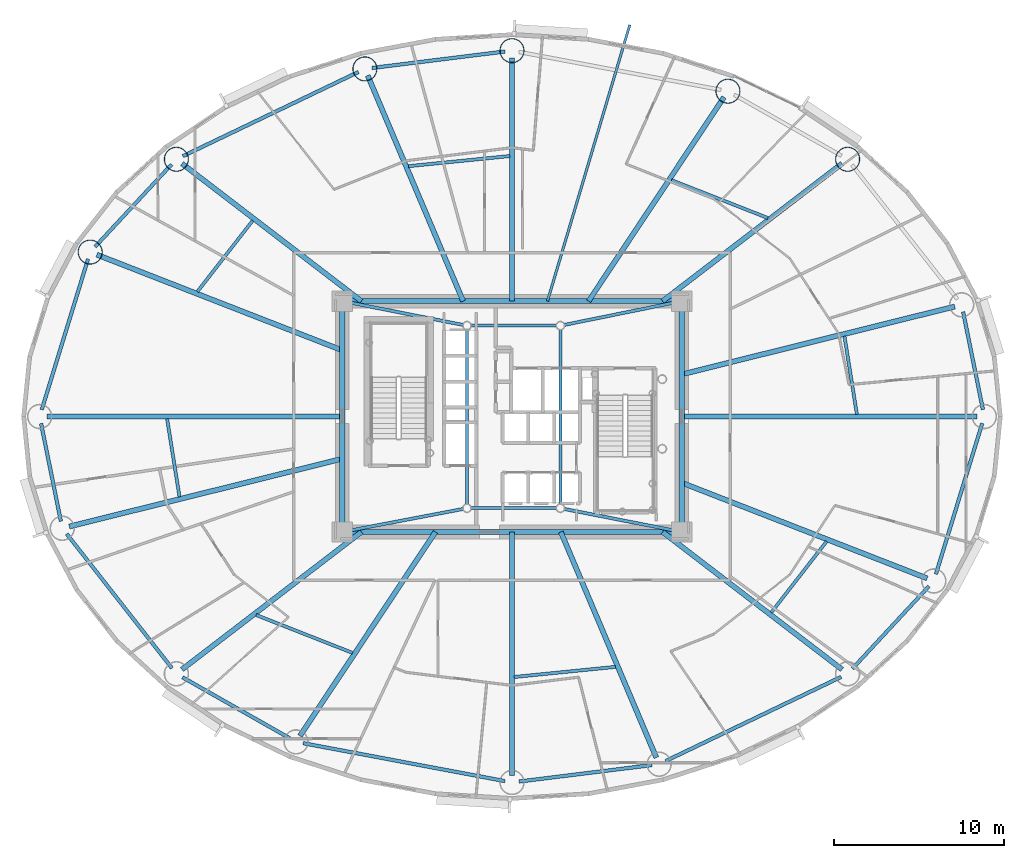
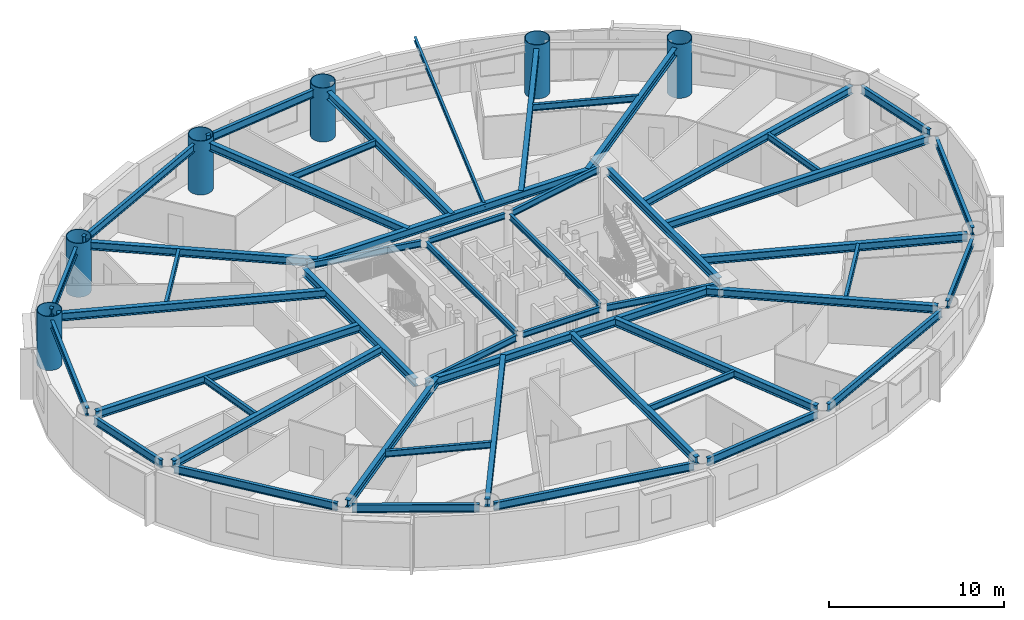
# One storey, part 3 of 16: 50 beams, 6 columns.
"""IFC4 building model written with IfcOpenShell, lengths in metres."""

from ifc_helpers import new_model, si_unit, direction, frame, origin, origin_2d, place, context, subcontext, project, spatial, hollow_circle, i_section, extrude, material, material_profile, profile_set, type_object, element, save


model = new_model("IFC4")

# Units and contexts
model_context = context("Model", 3, precision=1e-05, world=origin(), true_north=direction((0.0, 1.0)))
body_context = subcontext(model_context, "Body", "Model", "MODEL_VIEW")
ifc_project = project(units=[si_unit("LENGTHUNIT", "METRE"), si_unit("AREAUNIT", "SQUARE_METRE"), si_unit("VOLUMEUNIT", "CUBIC_METRE"), si_unit("PLANEANGLEUNIT", "RADIAN"), si_unit("MASSUNIT", "GRAM", prefix="KILO")], contexts=[model_context])

# Site, building, storey
site_placement = place(None, origin())
site = spatial("IfcSite", under=ifc_project, at=site_placement, CompositionType="ELEMENT")
building_placement = place(site_placement, origin())
building = spatial("IfcBuilding", under=site, at=building_placement, Name="Linh Dai School and Residence Tower", CompositionType="ELEMENT")
storey_placement = place(building_placement, frame((0.0, 0.0, 138.449951171875)))
storey = spatial("IfcBuildingStorey", under=building, at=storey_placement, Name="L33", CompositionType="ELEMENT", Elevation=138.449951171875)

# Columns
ifc_material = material(Name="Structural Steel S355JR", Category="steel")
ifc_material_profile_1 = material_profile(ifc_material, hollow_circle(Radius=0.72509765625, WallThickness=0.0419921875, at=origin_2d()), Name="CHS 1450x42")
ifc_profile_set_1 = profile_set([ifc_material_profile_1], Name="Structural Steel S355JR")
column_type = type_object("IfcColumnType", Name="COL-MC3", PredefinedType="COLUMN", material=ifc_profile_set_1)
for number, where, z_axis, x_axis, name in (
    (1, (55.772705078125, 42.155517578125, 0.0), (0.0, 0.0, 1.0), (1.0, 0.0, 0.0), "L33 Perimeter CFT Mega-Column MC03"),
    (2, (48.721923828125, 46.1650390625, 0.0), (0.0, 0.0, 1.0), (1.0, 0.0, 0.0), "L33 Perimeter CFT Mega-Column MC04"),
    (3, (36.0, 48.554931640625, 0.0), (0.0, 0.0, 1.0), (1.0, 0.0, 0.0), "L33 Perimeter CFT Mega-Column MC05"),
    (4, (27.33447265625, 47.480712890625, 0.0), (0.0, 0.0, 1.0), (1.0, 0.0, 0.0), "L33 Perimeter CFT Mega-Column MC06"),
    (5, (16.227294921875, 42.155517578125, 0.0), (0.0, 0.0, 1.0), (1.0, 0.0, 0.0), "L33 Perimeter CFT Mega-Column MC07"),
    (6, (11.15087890625, 36.6875, 0.0), (0.0, 0.0, 1.0), (1.0, 0.0, 0.0), "L33 Perimeter CFT Mega-Column MC08"),
):
    element("IfcColumn", number, at=place(storey_placement, frame(where, z_axis=z_axis, x_axis=x_axis)), inside=storey, type_object=column_type, Name=name, PredefinedType="COLUMN", context=body_context, shape_type="SweptSolid", body=[
        extrude(hollow_circle(Radius=0.72509765625, WallThickness=0.0419921875, at=origin_2d()), origin(), (0.0, 0.0, 1.0), 3.75),
    ])

# Beams
ifc_material_profile_2 = material_profile(ifc_material, i_section(OverallWidth=0.14990234375, OverallDepth=0.300048828125, WebThickness=0.007080078125, FlangeThickness=0.0107421875, at=origin_2d()), Name="IPE 300")
ifc_profile_set_2 = profile_set([ifc_material_profile_2], Name="Structural Steel S355JR")
beam_type_1 = type_object("IfcBeamType", Name="BM-BALC-CANT", PredefinedType="BEAM", material=ifc_profile_set_2)
beam_1_placement = place(storey_placement, frame((38.08935546875, 33.800048828125, 3.35009765625), z_axis=(0.285602713269, 0.958348104904, 0.0), x_axis=(-0.958348104904, 0.285602713269, 0.0)))
element("IfcBeam", 7, at=beam_1_placement, inside=storey, type_object=beam_type_1, Name="L34 Balcony Continuous Cantilever Beam 09", PredefinedType="BEAM", context=body_context, shape_type="SweptSolid", body=[
    extrude(i_section(OverallWidth=0.14990234375, OverallDepth=0.300048828125, WebThickness=0.007080078125, FlangeThickness=0.0107421875, at=origin_2d()), origin(), (0.0, 0.0, 1.0), 16.984619140625),
])
ifc_material_profile_3 = material_profile(ifc_material, i_section(OverallWidth=0.2099609375, OverallDepth=0.550048828125, WebThickness=0.010986328125, FlangeThickness=0.01708984375, FilletRadius=0.02392578125, at=origin_2d()), Name="IPE 550")
ifc_profile_set_3 = profile_set([ifc_material_profile_3], Name="Structural Steel S355JR")
beam_type_2 = type_object("IfcBeamType", Name="BM-RB55", PredefinedType="BEAM", material=ifc_profile_set_3)
beam_2_placement = place(storey_placement, frame((63.74169921875, 27.41162109375, 3.22509765625), z_axis=(-0.198441254313, 0.980112783605, 0.0), x_axis=(-0.980112783605, -0.198441254313, 0.0)))
element("IfcBeam", 8, at=beam_2_placement, inside=storey, type_object=beam_type_2, Name="L33 Perimeter Elliptical Ring Beam 01", PredefinedType="BEAM", context=body_context, shape_type="SweptSolid", body=[
    extrude(i_section(OverallWidth=0.2099609375, OverallDepth=0.550048828125, WebThickness=0.010986328125, FlangeThickness=0.01708984375, FilletRadius=0.02392578125, at=origin_2d()), origin(), (0.0, 0.0, 1.0), 5.874755859375),
])
beam_3_placement = place(storey_placement, frame((35.583251953125, 48.50341796875, 3.22509765625), z_axis=(-0.992399234854, -0.123059979933, 0.0), x_axis=(0.123059979933, -0.992399234854, 0.0)))
element("IfcBeam", 9, at=beam_3_placement, inside=storey, type_object=beam_type_2, Name="L33 Perimeter Elliptical Ring Beam 05", PredefinedType="BEAM", context=body_context, shape_type="SweptSolid", body=[
    extrude(i_section(OverallWidth=0.2099609375, OverallDepth=0.550048828125, WebThickness=0.010986328125, FlangeThickness=0.01708984375, FilletRadius=0.02392578125, at=origin_2d()), origin(), (0.0, 0.0, 1.0), 7.89208984375),
])
beam_4_placement = place(storey_placement, frame((26.955810546875, 47.299072265625, 3.22509765625), z_axis=(-0.901715153312, -0.432330640005, 0.0), x_axis=(0.432330640005, -0.901715153312, 0.0)))
element("IfcBeam", 10, at=beam_4_placement, inside=storey, type_object=beam_type_2, Name="L33 Perimeter Elliptical Ring Beam 06", PredefinedType="BEAM", context=body_context, shape_type="SweptSolid", body=[
    extrude(i_section(OverallWidth=0.2099609375, OverallDepth=0.550048828125, WebThickness=0.010986328125, FlangeThickness=0.01708984375, FilletRadius=0.02392578125, at=origin_2d()), origin(), (0.0, 0.0, 1.0), 11.477783203125),
])
beam_5_placement = place(storey_placement, frame((15.941650390625, 41.84765625, 3.22509765625), z_axis=(-0.680384623752, -0.732855213369, 0.0), x_axis=(0.732855213369, -0.680384623752, 0.0)))
element("IfcBeam", 11, at=beam_5_placement, inside=storey, type_object=beam_type_2, Name="L33 Perimeter Elliptical Ring Beam 07", PredefinedType="BEAM", context=body_context, shape_type="SweptSolid", body=[
    extrude(i_section(OverallWidth=0.2099609375, OverallDepth=0.550048828125, WebThickness=0.010986328125, FlangeThickness=0.01708984375, FilletRadius=0.02392578125, at=origin_2d()), origin(), (0.0, 0.0, 1.0), 6.62109375),
])
beam_6_placement = place(storey_placement, frame((11.027587890625, 36.2861328125, 3.22509765625), z_axis=(-0.29364097848, -0.95591577859, 0.0), x_axis=(0.95591577859, -0.29364097848, 0.0)))
element("IfcBeam", 12, at=beam_6_placement, inside=storey, type_object=beam_type_2, Name="L33 Perimeter Elliptical Ring Beam 08", PredefinedType="BEAM", context=body_context, shape_type="SweptSolid", body=[
    extrude(i_section(OverallWidth=0.2099609375, OverallDepth=0.550048828125, WebThickness=0.010986328125, FlangeThickness=0.01708984375, FilletRadius=0.02392578125, at=origin_2d()), origin(), (0.0, 0.0, 1.0), 9.29443359375),
])
beam_7_placement = place(storey_placement, frame((8.25830078125, 26.58837890625, 3.22509765625), z_axis=(0.198441254313, -0.980112783605, 0.0), x_axis=(0.980112783605, 0.198441254313, 0.0)))
element("IfcBeam", 13, at=beam_7_placement, inside=storey, type_object=beam_type_2, Name="L33 Perimeter Elliptical Ring Beam 09", PredefinedType="BEAM", context=body_context, shape_type="SweptSolid", body=[
    extrude(i_section(OverallWidth=0.2099609375, OverallDepth=0.550048828125, WebThickness=0.010986328125, FlangeThickness=0.01708984375, FilletRadius=0.02392578125, at=origin_2d()), origin(), (0.0, 0.0, 1.0), 5.874755859375),
])
beam_8_placement = place(storey_placement, frame((9.766357421875, 20.08837890625, 3.22509765625), z_axis=(0.616854830973, -0.787076945098, 0.0), x_axis=(0.787076945098, 0.616854830973, 0.0)))
element("IfcBeam", 14, at=beam_8_placement, inside=storey, type_object=beam_type_2, Name="L33 Perimeter Elliptical Ring Beam 10", PredefinedType="BEAM", context=body_context, shape_type="SweptSolid", body=[
    extrude(i_section(OverallWidth=0.2099609375, OverallDepth=0.550048828125, WebThickness=0.010986328125, FlangeThickness=0.01708984375, FilletRadius=0.02392578125, at=origin_2d()), origin(), (0.0, 0.0, 1.0), 10.053955078125),
])
beam_9_placement = place(storey_placement, frame((16.592529296875, 11.636962890625, 3.22509765625), z_axis=(0.86927031475, -0.494337050902, 0.0), x_axis=(0.494337050902, 0.86927031475, 0.0)))
element("IfcBeam", 15, at=beam_9_placement, inside=storey, type_object=beam_type_2, Name="L33 Perimeter Elliptical Ring Beam 11", PredefinedType="BEAM", context=body_context, shape_type="SweptSolid", body=[
    extrude(i_section(OverallWidth=0.2099609375, OverallDepth=0.550048828125, WebThickness=0.010986328125, FlangeThickness=0.01708984375, FilletRadius=0.02392578125, at=origin_2d()), origin(), (0.0, 0.0, 1.0), 7.270751953125),
])
beam_10_placement = place(storey_placement, frame((23.69091796875, 7.75732421875, 3.22509765625), z_axis=(0.982807507457, -0.184633158685, 0.0), x_axis=(0.184633158685, 0.982807507457, 0.0)))
element("IfcBeam", 16, at=beam_10_placement, inside=storey, type_object=beam_type_2, Name="L33 Perimeter Elliptical Ring Beam 12", PredefinedType="BEAM", context=body_context, shape_type="SweptSolid", body=[
    extrude(i_section(OverallWidth=0.2099609375, OverallDepth=0.550048828125, WebThickness=0.010986328125, FlangeThickness=0.01708984375, FilletRadius=0.02392578125, at=origin_2d()), origin(), (0.0, 0.0, 1.0), 12.104248046875),
])
beam_11_placement = place(storey_placement, frame((36.416748046875, 5.49658203125, 3.22509765625), z_axis=(0.992399234854, 0.123059979933, 0.0), x_axis=(-0.123059979933, 0.992399234854, 0.0)))
element("IfcBeam", 17, at=beam_11_placement, inside=storey, type_object=beam_type_2, Name="L33 Perimeter Elliptical Ring Beam 13", PredefinedType="BEAM", context=body_context, shape_type="SweptSolid", body=[
    extrude(i_section(OverallWidth=0.2099609375, OverallDepth=0.550048828125, WebThickness=0.010986328125, FlangeThickness=0.01708984375, FilletRadius=0.02392578125, at=origin_2d()), origin(), (0.0, 0.0, 1.0), 7.89208984375),
])
beam_12_placement = place(storey_placement, frame((45.044189453125, 6.700927734375, 3.22509765625), z_axis=(0.901715153312, 0.432330640005, 0.0), x_axis=(-0.432330640005, 0.901715153312, 0.0)))
element("IfcBeam", 18, at=beam_12_placement, inside=storey, type_object=beam_type_2, Name="L33 Perimeter Elliptical Ring Beam 14", PredefinedType="BEAM", context=body_context, shape_type="SweptSolid", body=[
    extrude(i_section(OverallWidth=0.2099609375, OverallDepth=0.550048828125, WebThickness=0.010986328125, FlangeThickness=0.01708984375, FilletRadius=0.02392578125, at=origin_2d()), origin(), (0.0, 0.0, 1.0), 11.477783203125),
])
beam_13_placement = place(storey_placement, frame((56.058349609375, 12.15234375, 3.22509765625), z_axis=(0.680384623752, 0.732855213369, 0.0), x_axis=(-0.732855213369, 0.680384623752, 0.0)))
element("IfcBeam", 19, at=beam_13_placement, inside=storey, type_object=beam_type_2, Name="L33 Perimeter Elliptical Ring Beam 15", PredefinedType="BEAM", context=body_context, shape_type="SweptSolid", body=[
    extrude(i_section(OverallWidth=0.2099609375, OverallDepth=0.550048828125, WebThickness=0.010986328125, FlangeThickness=0.01708984375, FilletRadius=0.02392578125, at=origin_2d()), origin(), (0.0, 0.0, 1.0), 6.62109375),
])
beam_14_placement = place(storey_placement, frame((60.972412109375, 17.7138671875, 3.22509765625), z_axis=(0.29364097848, 0.95591577859, 0.0), x_axis=(-0.95591577859, 0.29364097848, 0.0)))
element("IfcBeam", 20, at=beam_14_placement, inside=storey, type_object=beam_type_2, Name="L33 Perimeter Elliptical Ring Beam 16", PredefinedType="BEAM", context=body_context, shape_type="SweptSolid", body=[
    extrude(i_section(OverallWidth=0.2099609375, OverallDepth=0.550048828125, WebThickness=0.010986328125, FlangeThickness=0.01708984375, FilletRadius=0.02392578125, at=origin_2d()), origin(), (0.0, 0.0, 1.0), 9.29443359375),
])
ifc_material_profile_4 = material_profile(ifc_material, i_section(OverallWidth=0.300048828125, OverallDepth=0.550048828125, WebThickness=0.014892578125, FlangeThickness=0.029052734375, FilletRadius=0.027099609375, at=origin_2d()), Name="HEB 550")
ifc_profile_set_4 = profile_set([ifc_material_profile_4], Name="Structural Steel S355JR")
beam_type_3 = type_object("IfcBeamType", Name="BM-RG55", PredefinedType="BEAM", material=ifc_profile_set_4)
beam_15_placement = place(storey_placement, frame((26.419921875, 20.199951171875, 3.22509765625), z_axis=(1.0, 0.0, 0.0), x_axis=(0.0, 1.0, 0.0)))
element("IfcBeam", 21, at=beam_15_placement, inside=storey, type_object=beam_type_3, Name="L33 Core Perimeter Coupling Girder 1", PredefinedType="BEAM", context=body_context, shape_type="SweptSolid", body=[
    extrude(i_section(OverallWidth=0.300048828125, OverallDepth=0.550048828125, WebThickness=0.014892578125, FlangeThickness=0.029052734375, FilletRadius=0.027099609375, at=origin_2d()), origin(), (0.0, 0.0, 1.0), 19.16015625),
])
beam_16_placement = place(storey_placement, frame((46.0, 20.6201171875, 3.22509765625), z_axis=(0.0, 1.0, 0.0), x_axis=(-1.0, 0.0, 0.0)))
element("IfcBeam", 22, at=beam_16_placement, inside=storey, type_object=beam_type_3, Name="L33 Core Perimeter Coupling Girder 2", PredefinedType="BEAM", context=body_context, shape_type="SweptSolid", body=[
    extrude(i_section(OverallWidth=0.300048828125, OverallDepth=0.550048828125, WebThickness=0.014892578125, FlangeThickness=0.029052734375, FilletRadius=0.027099609375, at=origin_2d()), origin(), (0.0, 0.0, 1.0), 12.759765625),
])
beam_17_placement = place(storey_placement, frame((45.580078125, 33.800048828125, 3.22509765625), z_axis=(-1.0, 0.0, 0.0), x_axis=(0.0, -1.0, 0.0)))
element("IfcBeam", 23, at=beam_17_placement, inside=storey, type_object=beam_type_3, Name="L33 Core Perimeter Coupling Girder 3", PredefinedType="BEAM", context=body_context, shape_type="SweptSolid", body=[
    extrude(i_section(OverallWidth=0.300048828125, OverallDepth=0.550048828125, WebThickness=0.014892578125, FlangeThickness=0.029052734375, FilletRadius=0.027099609375, at=origin_2d()), origin(), (0.0, 0.0, 1.0), 19.16015625),
])
beam_18_placement = place(storey_placement, frame((26.0, 33.3798828125, 3.22509765625), z_axis=(0.0, -1.0, 0.0), x_axis=(1.0, 0.0, 0.0)))
element("IfcBeam", 24, at=beam_18_placement, inside=storey, type_object=beam_type_3, Name="L33 Core Perimeter Coupling Girder 4", PredefinedType="BEAM", context=body_context, shape_type="SweptSolid", body=[
    extrude(i_section(OverallWidth=0.300048828125, OverallDepth=0.550048828125, WebThickness=0.014892578125, FlangeThickness=0.029052734375, FilletRadius=0.027099609375, at=origin_2d()), origin(), (0.0, 0.0, 1.0), 12.759765625),
])
beam_19_placement = place(storey_placement, frame((46.0, 27.0, 3.22509765625), z_axis=(1.0, 0.0, 0.0), x_axis=(0.0, 1.0, 0.0)))
element("IfcBeam", 25, at=beam_19_placement, inside=storey, type_object=beam_type_3, Name="L33 Primary Radial Floor Girder 01", PredefinedType="BEAM", context=body_context, shape_type="SweptSolid", body=[
    extrude(i_section(OverallWidth=0.300048828125, OverallDepth=0.550048828125, WebThickness=0.014892578125, FlangeThickness=0.029052734375, FilletRadius=0.027099609375, at=origin_2d()), origin(), (0.0, 0.0, 1.0), 17.405029296875),
])
beam_20_placement = place(storey_placement, frame((46.0, 29.484130859375, 3.22509765625), z_axis=(0.970505338376, 0.241079630379, 0.0), x_axis=(-0.241079630379, 0.970505338376, 0.0)))
element("IfcBeam", 26, at=beam_20_placement, inside=storey, type_object=beam_type_3, Name="L33 Primary Radial Floor Girder 02", PredefinedType="BEAM", context=body_context, shape_type="SweptSolid", body=[
    extrude(i_section(OverallWidth=0.300048828125, OverallDepth=0.550048828125, WebThickness=0.014892578125, FlangeThickness=0.029052734375, FilletRadius=0.027099609375, at=origin_2d()), origin(), (0.0, 0.0, 1.0), 16.57373046875),
])
beam_21_placement = place(storey_placement, frame((44.87158203125, 33.800048828125, 3.22509765625), z_axis=(0.793678660795, 0.608337228352, 0.0), x_axis=(-0.608337228352, 0.793678660795, 0.0)))
element("IfcBeam", 27, at=beam_21_placement, inside=storey, type_object=beam_type_3, Name="L33 Primary Radial Floor Girder 03", PredefinedType="BEAM", context=body_context, shape_type="SweptSolid", body=[
    extrude(i_section(OverallWidth=0.300048828125, OverallDepth=0.550048828125, WebThickness=0.014892578125, FlangeThickness=0.029052734375, FilletRadius=0.027099609375, at=origin_2d()), origin(), (0.0, 0.0, 1.0), 13.314697265625),
])
beam_22_placement = place(storey_placement, frame((40.513916015625, 33.800048828125, 3.22509765625), z_axis=(0.553054392401, 0.833145148846, 0.0), x_axis=(-0.833145148846, 0.553054392401, 0.0)))
element("IfcBeam", 28, at=beam_22_placement, inside=storey, type_object=beam_type_3, Name="L33 Primary Radial Floor Girder 04", PredefinedType="BEAM", context=body_context, shape_type="SweptSolid", body=[
    extrude(i_section(OverallWidth=0.300048828125, OverallDepth=0.550048828125, WebThickness=0.014892578125, FlangeThickness=0.029052734375, FilletRadius=0.027099609375, at=origin_2d()), origin(), (0.0, 0.0, 1.0), 14.42138671875),
])
beam_23_placement = place(storey_placement, frame((36.0, 33.800048828125, 3.22509765625), z_axis=(0.0, 1.0, 0.0), x_axis=(-1.0, 0.0, 0.0)))
element("IfcBeam", 29, at=beam_23_placement, inside=storey, type_object=beam_type_3, Name="L33 Primary Radial Floor Girder 05", PredefinedType="BEAM", context=body_context, shape_type="SweptSolid", body=[
    extrude(i_section(OverallWidth=0.300048828125, OverallDepth=0.550048828125, WebThickness=0.014892578125, FlangeThickness=0.029052734375, FilletRadius=0.027099609375, at=origin_2d()), origin(), (0.0, 0.0, 1.0), 14.3349609375),
])
beam_24_placement = place(storey_placement, frame((33.122802734375, 33.800048828125, 3.22509765625), z_axis=(-0.389669233739, 0.920954878524, 0.0), x_axis=(-0.920954878524, -0.389669233739, 0.0)))
element("IfcBeam", 30, at=beam_24_placement, inside=storey, type_object=beam_type_3, Name="L33 Primary Radial Floor Girder 06", PredefinedType="BEAM", context=body_context, shape_type="SweptSolid", body=[
    extrude(i_section(OverallWidth=0.300048828125, OverallDepth=0.550048828125, WebThickness=0.014892578125, FlangeThickness=0.029052734375, FilletRadius=0.027099609375, at=origin_2d()), origin(), (0.0, 0.0, 1.0), 14.434814453125),
])
beam_25_placement = place(storey_placement, frame((27.12841796875, 33.800048828125, 3.22509765625), z_axis=(-0.793678660795, 0.608337228352, 0.0), x_axis=(-0.608337228352, -0.793678660795, 0.0)))
element("IfcBeam", 31, at=beam_25_placement, inside=storey, type_object=beam_type_3, Name="L33 Primary Radial Floor Girder 07", PredefinedType="BEAM", context=body_context, shape_type="SweptSolid", body=[
    extrude(i_section(OverallWidth=0.300048828125, OverallDepth=0.550048828125, WebThickness=0.014892578125, FlangeThickness=0.029052734375, FilletRadius=0.027099609375, at=origin_2d()), origin(), (0.0, 0.0, 1.0), 13.314697265625),
])
beam_26_placement = place(storey_placement, frame((26.0, 30.8984375, 3.22509765625), z_axis=(-0.931699338449, 0.363230426498, 0.0), x_axis=(-0.363230426498, -0.931699338449, 0.0)))
element("IfcBeam", 32, at=beam_26_placement, inside=storey, type_object=beam_type_3, Name="L33 Primary Radial Floor Girder 08", PredefinedType="BEAM", context=body_context, shape_type="SweptSolid", body=[
    extrude(i_section(OverallWidth=0.300048828125, OverallDepth=0.550048828125, WebThickness=0.014892578125, FlangeThickness=0.029052734375, FilletRadius=0.027099609375, at=origin_2d()), origin(), (0.0, 0.0, 1.0), 15.517578125),
])
beam_27_placement = place(storey_placement, frame((26.0, 27.0, 3.22509765625), z_axis=(-1.0, 0.0, 0.0), x_axis=(0.0, -1.0, 0.0)))
element("IfcBeam", 33, at=beam_27_placement, inside=storey, type_object=beam_type_3, Name="L33 Primary Radial Floor Girder 09", PredefinedType="BEAM", context=body_context, shape_type="SweptSolid", body=[
    extrude(i_section(OverallWidth=0.300048828125, OverallDepth=0.550048828125, WebThickness=0.014892578125, FlangeThickness=0.029052734375, FilletRadius=0.027099609375, at=origin_2d()), origin(), (0.0, 0.0, 1.0), 17.405029296875),
])
beam_28_placement = place(storey_placement, frame((26.0, 24.515869140625, 3.22509765625), z_axis=(-0.970505338376, -0.241079630379, 0.0), x_axis=(0.241079630379, -0.970505338376, 0.0)))
element("IfcBeam", 34, at=beam_28_placement, inside=storey, type_object=beam_type_3, Name="L33 Primary Radial Floor Girder 10", PredefinedType="BEAM", context=body_context, shape_type="SweptSolid", body=[
    extrude(i_section(OverallWidth=0.300048828125, OverallDepth=0.550048828125, WebThickness=0.014892578125, FlangeThickness=0.029052734375, FilletRadius=0.027099609375, at=origin_2d()), origin(), (0.0, 0.0, 1.0), 16.57373046875),
])
beam_29_placement = place(storey_placement, frame((27.12841796875, 20.199951171875, 3.22509765625), z_axis=(-0.793678660795, -0.608337228352, 0.0), x_axis=(0.608337228352, -0.793678660795, 0.0)))
element("IfcBeam", 35, at=beam_29_placement, inside=storey, type_object=beam_type_3, Name="L33 Primary Radial Floor Girder 11", PredefinedType="BEAM", context=body_context, shape_type="SweptSolid", body=[
    extrude(i_section(OverallWidth=0.300048828125, OverallDepth=0.550048828125, WebThickness=0.014892578125, FlangeThickness=0.029052734375, FilletRadius=0.027099609375, at=origin_2d()), origin(), (0.0, 0.0, 1.0), 13.314697265625),
])
beam_30_placement = place(storey_placement, frame((31.486083984375, 20.199951171875, 3.22509765625), z_axis=(-0.553054392401, -0.833145148846, 0.0), x_axis=(0.833145148846, -0.553054392401, 0.0)))
element("IfcBeam", 36, at=beam_30_placement, inside=storey, type_object=beam_type_3, Name="L33 Primary Radial Floor Girder 12", PredefinedType="BEAM", context=body_context, shape_type="SweptSolid", body=[
    extrude(i_section(OverallWidth=0.300048828125, OverallDepth=0.550048828125, WebThickness=0.014892578125, FlangeThickness=0.029052734375, FilletRadius=0.027099609375, at=origin_2d()), origin(), (0.0, 0.0, 1.0), 14.42138671875),
])
beam_31_placement = place(storey_placement, frame((36.0, 20.199951171875, 3.22509765625), z_axis=(0.0, -1.0, 0.0), x_axis=(1.0, 0.0, 0.0)))
element("IfcBeam", 37, at=beam_31_placement, inside=storey, type_object=beam_type_3, Name="L33 Primary Radial Floor Girder 13", PredefinedType="BEAM", context=body_context, shape_type="SweptSolid", body=[
    extrude(i_section(OverallWidth=0.300048828125, OverallDepth=0.550048828125, WebThickness=0.014892578125, FlangeThickness=0.029052734375, FilletRadius=0.027099609375, at=origin_2d()), origin(), (0.0, 0.0, 1.0), 14.3349609375),
])
beam_32_placement = place(storey_placement, frame((38.877197265625, 20.199951171875, 3.22509765625), z_axis=(0.389669233739, -0.920954878524, 0.0), x_axis=(0.920954878524, 0.389669233739, 0.0)))
element("IfcBeam", 38, at=beam_32_placement, inside=storey, type_object=beam_type_3, Name="L33 Primary Radial Floor Girder 14", PredefinedType="BEAM", context=body_context, shape_type="SweptSolid", body=[
    extrude(i_section(OverallWidth=0.300048828125, OverallDepth=0.550048828125, WebThickness=0.014892578125, FlangeThickness=0.029052734375, FilletRadius=0.027099609375, at=origin_2d()), origin(), (0.0, 0.0, 1.0), 14.434814453125),
])
beam_33_placement = place(storey_placement, frame((44.87158203125, 20.199951171875, 3.22509765625), z_axis=(0.793678660795, -0.608337228352, 0.0), x_axis=(0.608337228352, 0.793678660795, 0.0)))
element("IfcBeam", 39, at=beam_33_placement, inside=storey, type_object=beam_type_3, Name="L33 Primary Radial Floor Girder 15", PredefinedType="BEAM", context=body_context, shape_type="SweptSolid", body=[
    extrude(i_section(OverallWidth=0.300048828125, OverallDepth=0.550048828125, WebThickness=0.014892578125, FlangeThickness=0.029052734375, FilletRadius=0.027099609375, at=origin_2d()), origin(), (0.0, 0.0, 1.0), 13.314697265625),
])
beam_34_placement = place(storey_placement, frame((46.0, 23.1015625, 3.22509765625), z_axis=(0.931699338449, -0.363230426498, 0.0), x_axis=(0.363230426498, 0.931699338449, 0.0)))
element("IfcBeam", 40, at=beam_34_placement, inside=storey, type_object=beam_type_3, Name="L33 Primary Radial Floor Girder 16", PredefinedType="BEAM", context=body_context, shape_type="SweptSolid", body=[
    extrude(i_section(OverallWidth=0.300048828125, OverallDepth=0.550048828125, WebThickness=0.014892578125, FlangeThickness=0.029052734375, FilletRadius=0.027099609375, at=origin_2d()), origin(), (0.0, 0.0, 1.0), 15.517578125),
])
ifc_material_profile_5 = material_profile(ifc_material, i_section(OverallWidth=0.179931640625, OverallDepth=0.39990234375, WebThickness=0.008544921875, FlangeThickness=0.013427734375, FilletRadius=0.02099609375, at=origin_2d()), Name="IPE 400")
ifc_profile_set_5 = profile_set([ifc_material_profile_5], Name="Structural Steel S355JR")
beam_type_4 = type_object("IfcBeamType", Name="BM-SB40", PredefinedType="BEAM", material=ifc_profile_set_5)
beam_35_placement = place(storey_placement, frame((33.573974609375, 21.60009765625, 3.300048828125), z_axis=(1.0, 0.0, 0.0), x_axis=(0.0, 1.0, 0.0)))
element("IfcBeam", 41, at=beam_35_placement, inside=storey, type_object=beam_type_4, Name="L33 Core Mast Pier Tie Beam 1", PredefinedType="BEAM", context=body_context, shape_type="SweptSolid", body=[
    extrude(i_section(OverallWidth=0.179931640625, OverallDepth=0.39990234375, WebThickness=0.008544921875, FlangeThickness=0.013427734375, FilletRadius=0.02099609375, at=origin_2d()), origin(), (0.0, 0.0, 1.0), 5.052001953125),
])
beam_36_placement = place(storey_placement, frame((38.85009765625, 21.823974609375, 3.300048828125), z_axis=(0.0, 1.0, 0.0), x_axis=(-1.0, 0.0, 0.0)))
element("IfcBeam", 42, at=beam_36_placement, inside=storey, type_object=beam_type_4, Name="L33 Core Mast Pier Tie Beam 2", PredefinedType="BEAM", context=body_context, shape_type="SweptSolid", body=[
    extrude(i_section(OverallWidth=0.179931640625, OverallDepth=0.39990234375, WebThickness=0.008544921875, FlangeThickness=0.013427734375, FilletRadius=0.02099609375, at=origin_2d()), origin(), (0.0, 0.0, 1.0), 10.302001953125),
])
beam_37_placement = place(storey_placement, frame((38.6259765625, 32.35009765625, 3.300048828125), z_axis=(-1.0, 0.0, 0.0), x_axis=(0.0, -1.0, 0.0)))
element("IfcBeam", 43, at=beam_37_placement, inside=storey, type_object=beam_type_4, Name="L33 Core Mast Pier Tie Beam 3", PredefinedType="BEAM", context=body_context, shape_type="SweptSolid", body=[
    extrude(i_section(OverallWidth=0.179931640625, OverallDepth=0.39990234375, WebThickness=0.008544921875, FlangeThickness=0.013427734375, FilletRadius=0.02099609375, at=origin_2d()), origin(), (0.0, 0.0, 1.0), 5.052001953125),
])
beam_38_placement = place(storey_placement, frame((33.35009765625, 32.1259765625, 3.300048828125), z_axis=(0.0, -1.0, 0.0), x_axis=(1.0, 0.0, 0.0)))
element("IfcBeam", 44, at=beam_38_placement, inside=storey, type_object=beam_type_4, Name="L33 Core Mast Pier Tie Beam 4", PredefinedType="BEAM", context=body_context, shape_type="SweptSolid", body=[
    extrude(i_section(OverallWidth=0.179931640625, OverallDepth=0.39990234375, WebThickness=0.008544921875, FlangeThickness=0.013427734375, FilletRadius=0.02099609375, at=origin_2d()), origin(), (0.0, 0.0, 1.0), 10.302001953125),
])
ifc_material_profile_6 = material_profile(ifc_material, i_section(OverallWidth=0.18994140625, OverallDepth=0.449951171875, WebThickness=0.009521484375, FlangeThickness=0.0146484375, FilletRadius=0.02099609375, at=origin_2d()), Name="IPE 450")
ifc_profile_set_6 = profile_set([ifc_material_profile_6], Name="Structural Steel S355JR")
beam_type_5 = type_object("IfcBeamType", Name="BM-SB45", PredefinedType="BEAM", material=ifc_profile_set_6)
beam_39_placement = place(storey_placement, frame((26.41259765625, 20.278564453125, 3.275146484375), z_axis=(0.982337003886, 0.187120311019, 0.0), x_axis=(-0.187120311019, 0.982337003886, 0.0)))
element("IfcBeam", 45, at=beam_39_placement, inside=storey, type_object=beam_type_5, Name="L33 Core Corner-to-Mast Pier Beam 1", PredefinedType="BEAM", context=body_context, shape_type="SweptSolid", body=[
    extrude(i_section(OverallWidth=0.18994140625, OverallDepth=0.449951171875, WebThickness=0.009521484375, FlangeThickness=0.0146484375, FilletRadius=0.02099609375, at=origin_2d()), origin(), (0.0, 0.0, 1.0), 6.838134765625),
])
beam_40_placement = place(storey_placement, frame((45.587890625, 20.28076171875, 3.275146484375), z_axis=(-0.981368554414, 0.192134745446, 0.0), x_axis=(-0.192134745446, -0.981368554414, 0.0)))
element("IfcBeam", 46, at=beam_40_placement, inside=storey, type_object=beam_type_5, Name="L33 Core Corner-to-Mast Pier Beam 2", PredefinedType="BEAM", context=body_context, shape_type="SweptSolid", body=[
    extrude(i_section(OverallWidth=0.18994140625, OverallDepth=0.449951171875, WebThickness=0.009521484375, FlangeThickness=0.0146484375, FilletRadius=0.02099609375, at=origin_2d()), origin(), (0.0, 0.0, 1.0), 6.641845703125),
])
beam_41_placement = place(storey_placement, frame((45.58837890625, 33.716552734375, 3.275146484375), z_axis=(-0.980049140776, -0.19875533116, 0.0), x_axis=(0.19875533116, -0.980049140776, 0.0)))
element("IfcBeam", 47, at=beam_41_placement, inside=storey, type_object=beam_type_5, Name="L33 Core Corner-to-Mast Pier Beam 3", PredefinedType="BEAM", context=body_context, shape_type="SweptSolid", body=[
    extrude(i_section(OverallWidth=0.18994140625, OverallDepth=0.449951171875, WebThickness=0.009521484375, FlangeThickness=0.0146484375, FilletRadius=0.02099609375, at=origin_2d()), origin(), (0.0, 0.0, 1.0), 6.651611328125),
])
beam_42_placement = place(storey_placement, frame((26.412109375, 33.71875, 3.275146484375), z_axis=(0.981087482999, -0.193564848828, 0.0), x_axis=(0.193564848828, 0.981087482999, 0.0)))
element("IfcBeam", 48, at=beam_42_placement, inside=storey, type_object=beam_type_5, Name="L33 Core Corner-to-Mast Pier Beam 4", PredefinedType="BEAM", context=body_context, shape_type="SweptSolid", body=[
    extrude(i_section(OverallWidth=0.18994140625, OverallDepth=0.449951171875, WebThickness=0.009521484375, FlangeThickness=0.0146484375, FilletRadius=0.02099609375, at=origin_2d()), origin(), (0.0, 0.0, 1.0), 6.847412109375),
])
beam_43_placement = place(storey_placement, frame((56.318115234375, 27.12841796875, 3.275146484375), z_axis=(-0.15702217033, 0.987595077967, 0.0), x_axis=(-0.987595077967, -0.15702217033, 0.0)))
element("IfcBeam", 49, at=beam_43_placement, inside=storey, type_object=beam_type_5, Name="L33 Secondary Circumferential Floor Beam 01", PredefinedType="BEAM", context=body_context, shape_type="SweptSolid", body=[
    extrude(i_section(OverallWidth=0.18994140625, OverallDepth=0.449951171875, WebThickness=0.009521484375, FlangeThickness=0.0146484375, FilletRadius=0.02099609375, at=origin_2d()), origin(), (0.0, 0.0, 1.0), 4.661376953125),
])
beam_44_placement = place(storey_placement, frame((51.0732421875, 38.693603515625, 3.275146484375), z_axis=(-0.930755385045, 0.365642466365, 0.0), x_axis=(-0.365642466365, -0.930755385045, 0.0)))
element("IfcBeam", 50, at=beam_44_placement, inside=storey, type_object=beam_type_5, Name="L33 Secondary Circumferential Floor Beam 02", PredefinedType="BEAM", context=body_context, shape_type="SweptSolid", body=[
    extrude(i_section(OverallWidth=0.18994140625, OverallDepth=0.449951171875, WebThickness=0.009521484375, FlangeThickness=0.0146484375, FilletRadius=0.02099609375, at=origin_2d()), origin(), (0.0, 0.0, 1.0), 6.10009765625),
])
beam_45_placement = place(storey_placement, frame((35.87060546875, 42.344970703125, 3.275146484375), z_axis=(-0.995039604987, -0.099479568287, 0.0), x_axis=(0.099479568287, -0.995039604987, 0.0)))
element("IfcBeam", 51, at=beam_45_placement, inside=storey, type_object=beam_type_5, Name="L33 Secondary Circumferential Floor Beam 03", PredefinedType="BEAM", context=body_context, shape_type="SweptSolid", body=[
    extrude(i_section(OverallWidth=0.18994140625, OverallDepth=0.449951171875, WebThickness=0.009521484375, FlangeThickness=0.0146484375, FilletRadius=0.02099609375, at=origin_2d()), origin(), (0.0, 0.0, 1.0), 6.00537109375),
])
beam_46_placement = place(storey_placement, frame((20.725830078125, 38.543701171875, 3.275146484375), z_axis=(-0.614322948635, -0.789054696951, 0.0), x_axis=(0.789054696951, -0.614322948635, 0.0)))
element("IfcBeam", 52, at=beam_46_placement, inside=storey, type_object=beam_type_5, Name="L33 Secondary Circumferential Floor Beam 04", PredefinedType="BEAM", context=body_context, shape_type="SweptSolid", body=[
    extrude(i_section(OverallWidth=0.18994140625, OverallDepth=0.449951171875, WebThickness=0.009521484375, FlangeThickness=0.0146484375, FilletRadius=0.02099609375, at=origin_2d()), origin(), (0.0, 0.0, 1.0), 5.303955078125),
])
beam_47_placement = place(storey_placement, frame((15.681884765625, 26.87158203125, 3.275146484375), z_axis=(0.15702217033, -0.987595077967, 0.0), x_axis=(0.987595077967, 0.15702217033, 0.0)))
element("IfcBeam", 53, at=beam_47_placement, inside=storey, type_object=beam_type_5, Name="L33 Secondary Circumferential Floor Beam 05", PredefinedType="BEAM", context=body_context, shape_type="SweptSolid", body=[
    extrude(i_section(OverallWidth=0.18994140625, OverallDepth=0.449951171875, WebThickness=0.009521484375, FlangeThickness=0.0146484375, FilletRadius=0.02099609375, at=origin_2d()), origin(), (0.0, 0.0, 1.0), 4.661376953125),
])
beam_48_placement = place(storey_placement, frame((20.9267578125, 15.306396484375, 3.275146484375), z_axis=(0.930755385045, -0.365642466365, 0.0), x_axis=(0.365642466365, 0.930755385045, 0.0)))
element("IfcBeam", 54, at=beam_48_placement, inside=storey, type_object=beam_type_5, Name="L33 Secondary Circumferential Floor Beam 06", PredefinedType="BEAM", context=body_context, shape_type="SweptSolid", body=[
    extrude(i_section(OverallWidth=0.18994140625, OverallDepth=0.449951171875, WebThickness=0.009521484375, FlangeThickness=0.0146484375, FilletRadius=0.02099609375, at=origin_2d()), origin(), (0.0, 0.0, 1.0), 6.10009765625),
])
beam_49_placement = place(storey_placement, frame((36.12939453125, 11.655029296875, 3.275146484375), z_axis=(0.995039604987, 0.099479568287, 0.0), x_axis=(-0.099479568287, 0.995039604987, 0.0)))
element("IfcBeam", 55, at=beam_49_placement, inside=storey, type_object=beam_type_5, Name="L33 Secondary Circumferential Floor Beam 07", PredefinedType="BEAM", context=body_context, shape_type="SweptSolid", body=[
    extrude(i_section(OverallWidth=0.18994140625, OverallDepth=0.449951171875, WebThickness=0.009521484375, FlangeThickness=0.0146484375, FilletRadius=0.02099609375, at=origin_2d()), origin(), (0.0, 0.0, 1.0), 6.00537109375),
])
beam_50_placement = place(storey_placement, frame((51.274169921875, 15.456298828125, 3.275146484375), z_axis=(0.614322948635, 0.789054696951, 0.0), x_axis=(-0.789054696951, 0.614322948635, 0.0)))
element("IfcBeam", 56, at=beam_50_placement, inside=storey, type_object=beam_type_5, Name="L33 Secondary Circumferential Floor Beam 08", PredefinedType="BEAM", context=body_context, shape_type="SweptSolid", body=[
    extrude(i_section(OverallWidth=0.18994140625, OverallDepth=0.449951171875, WebThickness=0.009521484375, FlangeThickness=0.0146484375, FilletRadius=0.02099609375, at=origin_2d()), origin(), (0.0, 0.0, 1.0), 5.303955078125),
])

save(model, "model.ifc")
